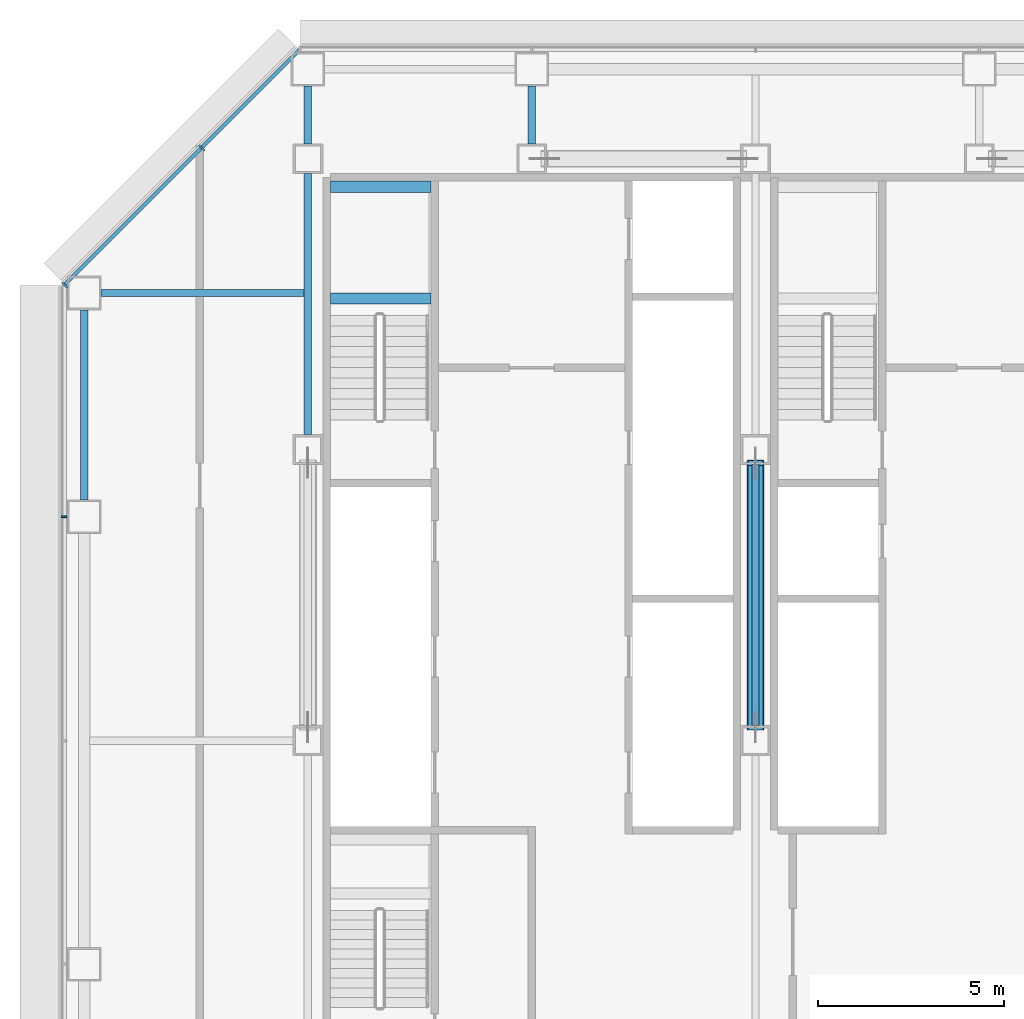
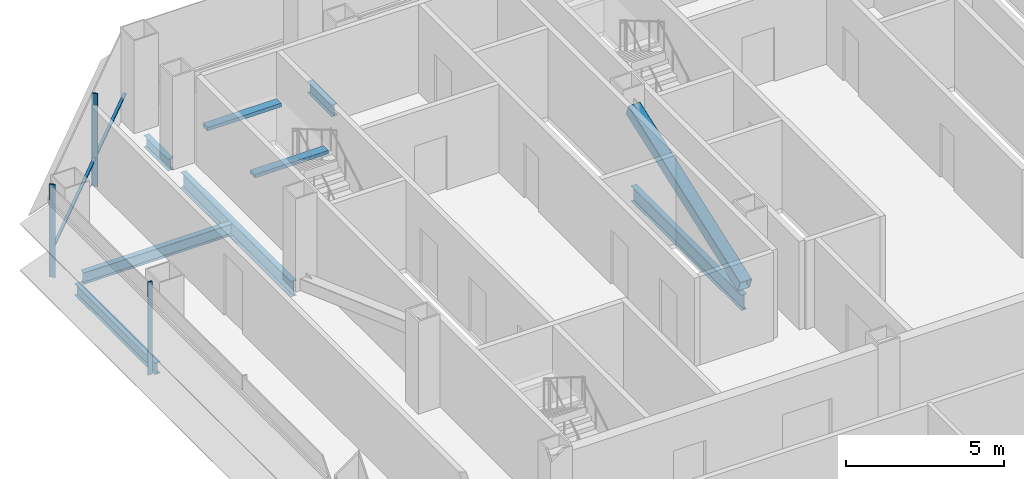
# One storey, part 11 of 27: 8 beams, 5 members, 2 elements without a shape of their own.
"""IFC4 building model written with IfcOpenShell, lengths in metres."""

from ifc_helpers import new_model, si_unit, direction, frame, origin, origin_2d, place, context, subcontext, project, spatial, rectangle, hollow_rectangle, i_section, extrude, material, material_profile, profile_set, type_object, element, aggregate, save


model = new_model("IFC4")

# Units and contexts
model_context = context("Model", 3, precision=1e-05, world=origin(), true_north=direction((0.0, 1.0)))
body_context = subcontext(model_context, "Body", "Model", "MODEL_VIEW")
ifc_project = project(units=[si_unit("LENGTHUNIT", "METRE"), si_unit("AREAUNIT", "SQUARE_METRE"), si_unit("VOLUMEUNIT", "CUBIC_METRE"), si_unit("PLANEANGLEUNIT", "RADIAN"), si_unit("MASSUNIT", "GRAM", prefix="KILO")], contexts=[model_context])

# Site, building, storey
site_placement = place(None, origin())
site = spatial("IfcSite", under=ifc_project, at=site_placement, CompositionType="ELEMENT")
building_placement = place(site_placement, origin())
building = spatial("IfcBuilding", under=site, at=building_placement, Name="Sorahane Residences", CompositionType="ELEMENT")
storey_placement = place(building_placement, frame((0.0, 0.0, 53.39990234375)))
storey = spatial("IfcBuildingStorey", under=building, at=storey_placement, Name="L09", CompositionType="ELEMENT", Elevation=53.39990234375)

# Member
ifc_material_1 = material(Name="Steel Q355B", Category="steel")
ifc_material_profile_1 = material_profile(ifc_material_1, hollow_rectangle(XDim=0.449951171875, YDim=0.449951171875, WallThickness=0.02197265625, InnerFilletRadius=0.010986328125, OuterFilletRadius=0.032958984375, at=origin_2d()), Name="RHS 450x450x22")
ifc_profile_set_1 = profile_set([ifc_material_profile_1], Name="Steel Q355B")
member_type_1 = type_object("IfcMemberType", Name="Core brace RHS 450x450x22 Q355B", PredefinedType="BRACE", material=ifc_profile_set_1)
member_1_placement = place(storey_placement, frame((18.0, 30.354248046875, 0.208740234375), z_axis=(0.0, 0.940896908935, 0.338693086371), x_axis=(-1.0, 0.0, 0.0)))
element("IfcMember", 1, at=member_1_placement, inside=storey, type_object=member_type_1, Name="Core brace L09 x18-1", PredefinedType="BRACE", context=body_context, shape_type="SweptSolid", body=[
    extrude(hollow_rectangle(XDim=0.449951171875, YDim=0.449951171875, WallThickness=0.02197265625, InnerFilletRadius=0.010986328125, OuterFilletRadius=0.032958984375, at=origin_2d()), origin(), (0.0, 0.0, 1.0), 7.537109375),
])

# Curtain wall, member
ifc_material_2 = material(Name="Dark low-e glass and black anodised aluminium", Category="aluminium")
curtain_wall_type_1 = type_object("IfcCurtainWallType", Name="Curtain wall CW-1 Typical unitised wall", PredefinedType="NOTDEFINED", material=ifc_material_2)
curtain_wall_1_placement = place(storey_placement, origin())
curtain_wall_1 = element("IfcCurtainWall", 2, at=curtain_wall_1_placement, inside=storey, type_object=curtain_wall_type_1, Name="CW-1 curtain wall L09 W1", PredefinedType="NOTDEFINED")
ifc_material_3 = material(Name="Black anodised aluminium", Category="aluminium")
ifc_material_profile_2 = material_profile(ifc_material_3, rectangle(XDim=0.159912109375, YDim=0.050048828125, at=origin_2d()), Name="Curtain wall mullion CW-1 black anodised aluminium 50x160")
ifc_profile_set_2 = profile_set([ifc_material_profile_2], Name="Black anodised aluminium")
member_type_2 = type_object("IfcMemberType", Name="Curtain wall mullion CW-1 black anodised aluminium 50x160", PredefinedType="MULLION", material=ifc_profile_set_2)
member_2_placement = place(storey_placement, frame((-0.5400390625, 36.0, -0.179931640625), z_axis=(0.0, 0.0, 1.0), x_axis=(-1.0, 0.0, 0.0)))
member_2 = element("IfcMember", 3, at=member_2_placement, type_object=member_type_2, Name="CW-1 mullion L09 W1.2", PredefinedType="MULLION", context=body_context, shape_type="SweptSolid", body=[
    extrude(rectangle(XDim=0.159912109375, YDim=0.050048828125, at=origin_2d()), origin(), (0.0, 0.0, 1.0), 3.60009765625),
])
aggregate(curtain_wall_1, [member_2])

# Curtain wall, members
ifc_material_4 = material(Name="Dark low-e glass and black anodised aluminium", Category="aluminium")
curtain_wall_type_2 = type_object("IfcCurtainWallType", Name="Curtain wall CW-2 Chamfer unitised wall", PredefinedType="NOTDEFINED", material=ifc_material_4)
curtain_wall_2_placement = place(storey_placement, origin())
curtain_wall_2 = element("IfcCurtainWall", 4, at=curtain_wall_2_placement, inside=storey, type_object=curtain_wall_type_2, Name="CW-2 curtain wall L09 NW1", PredefinedType="NOTDEFINED")
ifc_material_5 = material(Name="Black anodised aluminium", Category="aluminium")
ifc_material_profile_3 = material_profile(ifc_material_5, rectangle(XDim=0.199951171875, YDim=0.050048828125, at=origin_2d()), Name="Curtain wall mullion CW-2 black anodised aluminium 50x200")
ifc_profile_set_3 = profile_set([ifc_material_profile_3], Name="Black anodised aluminium")
member_type_3 = type_object("IfcMemberType", Name="Curtain wall mullion CW-2 black anodised aluminium 50x200", PredefinedType="MULLION", material=ifc_profile_set_3)
member_3_placement = place(storey_placement, frame((3.15673828125, 45.89208984375, -0.179931640625), z_axis=(0.0, 0.0, 1.0), x_axis=(-0.707106781187, 0.707106781187, 0.0)))
member_3 = element("IfcMember", 5, at=member_3_placement, type_object=member_type_3, Name="CW-2 mullion L09 NW1.2", PredefinedType="MULLION", context=body_context, shape_type="SweptSolid", body=[
    extrude(rectangle(XDim=0.199951171875, YDim=0.050048828125, at=origin_2d()), origin(), (0.0, 0.0, 1.0), 3.60009765625),
])
member_4_placement = place(storey_placement, frame((-0.525634765625, 42.209716796875, -0.179931640625), z_axis=(0.0, 0.0, 1.0), x_axis=(-0.707106781187, 0.707106781187, 0.0)))
member_4 = element("IfcMember", 6, at=member_4_placement, type_object=member_type_3, Name="CW-2 mullion L09 NW1.3", PredefinedType="MULLION", context=body_context, shape_type="SweptSolid", body=[
    extrude(rectangle(XDim=0.199951171875, YDim=0.050048828125, at=origin_2d()), origin(), (0.0, 0.0, 1.0), 3.60009765625),
])
ifc_material_6 = material(Name="Black anodised aluminium", Category="aluminium")
ifc_material_profile_4 = material_profile(ifc_material_6, rectangle(XDim=0.10009765625, YDim=0.06005859375, at=origin_2d()), Name="Curtain wall transom CW-2 black anodised aluminium 60x100")
ifc_profile_set_4 = profile_set([ifc_material_profile_4], Name="Black anodised aluminium")
member_type_4 = type_object("IfcMemberType", Name="Curtain wall transom CW-2 black anodised aluminium 60x100", PredefinedType="USERDEFINED", material=ifc_profile_set_4)
member_5_placement = place(storey_placement, frame((5.765625, 48.51513671875, 0.900146484375), z_axis=(-0.707106781187, -0.707106781187, 0.0), x_axis=(0.707106781187, -0.707106781187, 0.0)))
member_5 = element("IfcMember", 7, at=member_5_placement, type_object=member_type_4, Name="CW-2 transom L09 NW1", ObjectType="TRANSOM", PredefinedType="USERDEFINED", context=body_context, shape_type="SweptSolid", body=[
    extrude(rectangle(XDim=0.10009765625, YDim=0.06005859375, at=origin_2d()), origin(), (0.0, 0.0, 1.0), 8.88232421875),
])
aggregate(curtain_wall_2, [member_3, member_4, member_5])

# Beams
ifc_material_7 = material(Name="Concrete C40", Category="concrete")
ifc_material_profile_5 = material_profile(ifc_material_7, rectangle(XDim=0.300048828125, YDim=0.139892578125, at=origin_2d()), Name="300x140")
ifc_profile_set_5 = profile_set([ifc_material_profile_5], Name="Concrete C40")
beam_type_1 = type_object("IfcBeamType", Name="RC landing beam 300 x 140 Concrete C40", PredefinedType="BEAM", material=ifc_profile_set_5)
for number, where, z_axis, x_axis, name in (
    (8, (6.60009765625, 41.85009765625, 1.530029296875), (1.0, 0.0, 0.0), (0.0, 1.0, 0.0), "Landing beam"),
    (9, (6.60009765625, 44.85009765625, 1.530029296875), (1.0, 0.0, 0.0), (0.0, 1.0, 0.0), "Landing beam"),
):
    element("IfcBeam", number, at=place(storey_placement, frame(where, z_axis=z_axis, x_axis=x_axis)), inside=storey, type_object=beam_type_1, Name=name, PredefinedType="BEAM", context=body_context, shape_type="SweptSolid", body=[
        extrude(rectangle(XDim=0.300048828125, YDim=0.139892578125, at=origin_2d()), origin(), (0.0, 0.0, 1.0), 2.699951171875),
    ])
ifc_material_8 = material(Name="Steel Q355B", Category="steel")
ifc_material_profile_6 = material_profile(ifc_material_8, i_section(OverallWidth=0.199951171875, OverallDepth=0.449951171875, WebThickness=0.009033203125, FlangeThickness=0.013916015625, FilletRadius=0.02001953125, at=origin_2d()), Name="HN 450x200x9x14")
ifc_profile_set_6 = profile_set([ifc_material_profile_6], Name="Steel Q355B")
beam_type_2 = type_object("IfcBeamType", Name="Steel floor beam HN 450x200x9x14 Q355B", PredefinedType="BEAM", material=ifc_profile_set_6)
beam_1_placement = place(storey_placement, frame((0.0, 36.449951171875, -0.40478515625), z_axis=(0.0, 1.0, 0.0), x_axis=(-1.0, 0.0, 0.0)))
element("IfcBeam", 10, at=beam_1_placement, inside=storey, type_object=beam_type_2, Name="Beam L09 020", PredefinedType="BEAM", context=body_context, shape_type="SweptSolid", body=[
    extrude(i_section(OverallWidth=0.199951171875, OverallDepth=0.449951171875, WebThickness=0.009033203125, FlangeThickness=0.013916015625, FilletRadius=0.02001953125, at=origin_2d()), origin(), (0.0, 0.0, 1.0), 5.10009765625),
])
for number, where, z_axis, x_axis, name in (
    (11, (6.0, 46.0, -0.40478515625), (0.0, 1.0, 0.0), (-1.0, 0.0, 0.0), "Beam L09 026"),
    (12, (12.0, 46.0, -0.40478515625), (0.0, 1.0, 0.0), (-1.0, 0.0, 0.0), "Beam L09 028"),
):
    element("IfcBeam", number, at=place(storey_placement, frame(where, z_axis=z_axis, x_axis=x_axis)), inside=storey, type_object=beam_type_2, Name=name, PredefinedType="BEAM", context=body_context, shape_type="SweptSolid", body=[
        extrude(i_section(OverallWidth=0.199951171875, OverallDepth=0.449951171875, WebThickness=0.009033203125, FlangeThickness=0.013916015625, FilletRadius=0.02001953125, at=origin_2d()), origin(), (0.0, 0.0, 1.0), 1.550048828125),
    ])
beam_2_placement = place(storey_placement, frame((0.449951171875, 42.0, -0.40478515625), z_axis=(1.0, 0.0, 0.0), x_axis=(0.0, 1.0, 0.0)))
element("IfcBeam", 13, at=beam_2_placement, inside=storey, type_object=beam_type_2, Name="Beam L09 079", PredefinedType="BEAM", context=body_context, shape_type="SweptSolid", body=[
    extrude(i_section(OverallWidth=0.199951171875, OverallDepth=0.449951171875, WebThickness=0.009033203125, FlangeThickness=0.013916015625, FilletRadius=0.02001953125, at=origin_2d()), origin(), (0.0, 0.0, 1.0), 5.449951171875),
])
ifc_material_9 = material(Name="Steel Q355B", Category="steel")
ifc_material_profile_7 = material_profile(ifc_material_9, i_section(OverallWidth=0.199951171875, OverallDepth=0.60009765625, WebThickness=0.010986328125, FlangeThickness=0.01708984375, FilletRadius=0.02392578125, at=origin_2d()), Name="HN 600x200x11x17")
ifc_profile_set_7 = profile_set([ifc_material_profile_7], Name="Steel Q355B")
beam_type_3 = type_object("IfcBeamType", Name="Steel floor beam HN 600x200x11x17 Q355B", PredefinedType="BEAM", material=ifc_profile_set_7)
for number, where, z_axis, x_axis, name in (
    (14, (6.0, 38.199951171875, -0.47998046875), (0.0, 1.0, 0.0), (-1.0, 0.0, 0.0), "Beam L09 025"),
    (15, (18.0, 30.39990234375, -0.47998046875), (0.0, 1.0, 0.0), (-1.0, 0.0, 0.0), "Beam L09 032"),
):
    element("IfcBeam", number, at=place(storey_placement, frame(where, z_axis=z_axis, x_axis=x_axis)), inside=storey, type_object=beam_type_3, Name=name, PredefinedType="BEAM", context=body_context, shape_type="SweptSolid", body=[
        extrude(i_section(OverallWidth=0.199951171875, OverallDepth=0.60009765625, WebThickness=0.010986328125, FlangeThickness=0.01708984375, FilletRadius=0.02392578125, at=origin_2d()), origin(), (0.0, 0.0, 1.0), 7.0),
    ])

save(model, "model.ifc")
